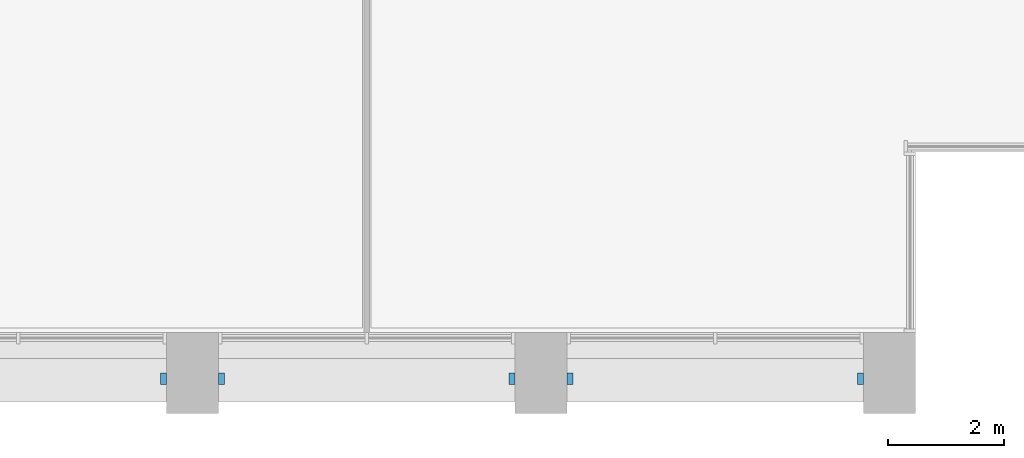
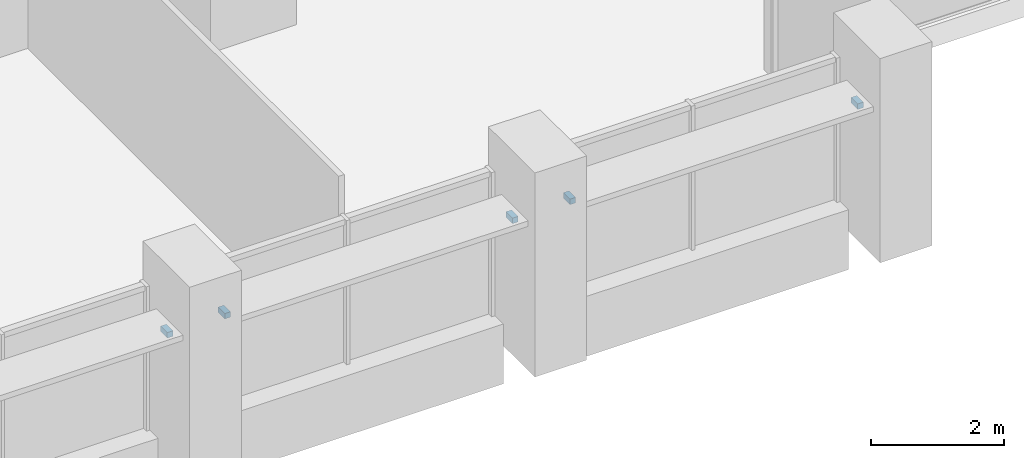
# One storey, part 16 of 18: 5 discrete accessories.
"""IFC4 building model written with IfcOpenShell, lengths in metres."""

import ifcopenshell
import ifcopenshell.guid

model = None  # the IFC model being written
_history = None  # IfcOwnerHistory: only IFC2X3 demands one
_inside = {}  # id of a spatial element -> (the spatial element, [elements in it])
_under = {}  # id of a project, library or spatial element -> (it, [spatial elements below it])
_declared = {}  # id of a project -> (the project, [libraries it declares])
_typed = {}  # id of a type object -> (the type object, [elements of that type])
_made_of = {}  # id of a material, layer set ... -> (it, [elements and type objects made of it])


def new_model(schema):
    """Start an empty IFC model of exactly this schema.

    Asked for "IFC4X3", IfcOpenShell would pick the latest addendum, in which some entities
    have other attributes; the version numbers below select the first issue.
    IFC2X3 requires an IfcOwnerHistory on every rooted entity: one is made here for all.
    """
    global model, _history
    if schema == "IFC4X3":
        model = ifcopenshell.file(schema_version=(4, 3, 0, 0))
    else:
        model = ifcopenshell.file(schema=schema)
    _inside.clear()
    _under.clear()
    _declared.clear()
    _typed.clear()
    _made_of.clear()
    _history = None
    if model.schema == "IFC2X3":
        org = make("IfcOrganization", Name="unknown")
        user = make(
            "IfcPersonAndOrganization",
            ThePerson=make("IfcPerson", FamilyName="unknown"),
            TheOrganization=org,
        )
        app = make(
            "IfcApplication",
            ApplicationDeveloper=org,
            Version="unknown",
            ApplicationFullName="unknown",
            ApplicationIdentifier="unknown",
        )
        _history = make(
            "IfcOwnerHistory",
            OwningUser=user,
            OwningApplication=app,
            ChangeAction="ADDED",
            CreationDate=0,
        )
    return model


def make(cls, **values):
    """One entity of the class cls with the attributes given. An attribute that is None is left unset."""
    return model.create_entity(
        cls, **{name: value for name, value in values.items() if value is not None}
    )


def rooted(cls, **values):
    """An entity with a GlobalId (a new one), such as an element, a storey or a relation."""
    return make(cls, GlobalId=ifcopenshell.guid.new(), OwnerHistory=_history, **values)


def si_unit(unit_type, name, prefix=None):
    """IfcSIUnit, for example si_unit("LENGTHUNIT", "METRE", prefix="MILLI")."""
    return make("IfcSIUnit", UnitType=unit_type, Prefix=prefix, Name=name)


def assignment(units):
    """IfcUnitAssignment: the units of a project."""
    return None if units is None else make("IfcUnitAssignment", Units=units)


def point(xyz):
    """IfcCartesianPoint."""
    return None if xyz is None else make("IfcCartesianPoint", Coordinates=xyz)


def direction(xyz):
    """IfcDirection."""
    return None if xyz is None else make("IfcDirection", DirectionRatios=xyz)


def frame(location, z_axis=None, x_axis=None):
    """IfcAxis2Placement3D, a coordinate frame: its origin and axes. An axis left out is left unset."""
    return make(
        "IfcAxis2Placement3D",
        Location=point(location),
        Axis=direction(z_axis),
        RefDirection=direction(x_axis),
    )


def frame_2d(location, x_axis=None):
    """IfcAxis2Placement2D, a coordinate frame in the plane: its origin and x axis."""
    return make(
        "IfcAxis2Placement2D", Location=point(location), RefDirection=direction(x_axis)
    )


def origin():
    """The frame at (0, 0, 0) with its axes left unset."""
    return frame((0.0, 0.0, 0.0))


def origin_2d():
    """The frame at (0, 0) in the plane with its x axis left unset."""
    return frame_2d((0.0, 0.0))


def place(relative_to, where):
    """IfcLocalPlacement: puts the frame where relative to a parent placement (None: the world)."""
    return make(
        "IfcLocalPlacement", PlacementRelTo=relative_to, RelativePlacement=where
    )


def context(
    kind, dimensions, precision=None, world=None, true_north=None, identifier=None
):
    """IfcGeometricRepresentationContext, for example the 3D "Model" context."""
    return make(
        "IfcGeometricRepresentationContext",
        ContextIdentifier=identifier,
        ContextType=kind,
        CoordinateSpaceDimension=dimensions,
        Precision=precision,
        WorldCoordinateSystem=world,
        TrueNorth=true_north,
    )


def subcontext(parent, identifier, kind, view, scale=None):
    """IfcGeometricRepresentationSubContext, for example "Body" below "Model"."""
    return make(
        "IfcGeometricRepresentationSubContext",
        ContextIdentifier=identifier,
        ContextType=kind,
        ParentContext=parent,
        TargetScale=scale,
        TargetView=view,
    )


def project(units=None, contexts=None):
    """IfcProject with its units and contexts."""
    return rooted(
        "IfcProject",
        Name="project",
        RepresentationContexts=contexts,
        UnitsInContext=assignment(units),
    )


def spatial(cls, under=None, at=None, **own):
    """A site, building, storey or space (cls), placed at a placement, below another one or the project."""
    s = rooted(cls, ObjectPlacement=at, **own)
    if under is not None:
        _under.setdefault(under.id(), (under, []))[1].append(s)
    return s


def profile(cls, at=None, kind="AREA", **sizes):
    """A parametric profile (cls). Its sizes go by their IFC names, for example OverallWidth=200.0."""
    return make(cls, ProfileType=kind, Position=at, **sizes)


def rectangle(**sizes):
    """IfcRectangleProfileDef."""
    return profile("IfcRectangleProfileDef", **sizes)


def extrude(swept, where, along, depth):
    """IfcExtrudedAreaSolid: the profile swept, set in the frame where, extruded along a direction by depth."""
    return make(
        "IfcExtrudedAreaSolid",
        SweptArea=swept,
        Position=where,
        ExtrudedDirection=direction(along),
        Depth=depth,
    )


def shape(context_of_items, identifier, shape_type, items):
    """IfcShapeRepresentation: the items that make up one representation, for example the "Body"."""
    return make(
        "IfcShapeRepresentation",
        ContextOfItems=context_of_items,
        RepresentationIdentifier=identifier,
        RepresentationType=shape_type,
        Items=items,
    )


def made_of(thing, what):
    """Note that an element or type object is made of a material, layer set ...; save() writes the relation."""
    if what is not None:
        _made_of.setdefault(what.id(), (what, []))[1].append(thing)
    return thing


def element(
    cls,
    number,
    at=None,
    inside=None,
    cuts=None,
    type_object=None,
    material=None,
    context=None,
    identifier="Body",
    shape_type=None,
    held_by="IfcProductDefinitionShape",
    body=None,
    shapes=None,
    **own,
):
    """One element of the class cls, such as IfcWall. Its Tag is "e" and its number.

    at: its placement. inside: the storey or other place that contains it. cuts: it is an
    opening in that element (IfcRelVoidsElement). A single representation is given by context,
    identifier, shape_type and body (its items); several are given by shapes. held_by: the class
    of the entity that holds the representations. save() writes the other relations.
    """
    e = rooted(cls, Tag="e%d" % number, ObjectPlacement=at, **own)
    if body is not None:
        shapes = [shape(context, identifier, shape_type, body)]
    if shapes is not None:
        e.Representation = make(held_by, Representations=shapes)
    if inside is not None:
        _inside.setdefault(inside.id(), (inside, []))[1].append(e)
    if cuts is not None:
        rooted(
            "IfcRelVoidsElement", RelatingBuildingElement=cuts, RelatedOpeningElement=e
        )
    if type_object is not None:
        _typed.setdefault(type_object.id(), (type_object, []))[1].append(e)
    return made_of(e, material)


def aggregate(whole, parts):
    """IfcRelAggregates: a whole, such as a stair, and the parts it consists of."""
    return rooted("IfcRelAggregates", RelatingObject=whole, RelatedObjects=parts)


def save(model, path):
    """Write the relations noted so far, then the file.

    IfcRelAggregates (storeys below a building ...), IfcRelContainedInSpatialStructure (elements
    in a storey), IfcRelDefinesByType, IfcRelAssociatesMaterial and IfcRelDeclares: one each for
    every whole, place, type object, material and project.
    """
    for whole, parts in _under.values():
        aggregate(whole, parts)
    for where, things in _inside.values():
        rooted(
            "IfcRelContainedInSpatialStructure",
            RelatedElements=things,
            RelatingStructure=where,
        )
    for kind, things in _typed.values():
        rooted("IfcRelDefinesByType", RelatedObjects=things, RelatingType=kind)
    for what, things in _made_of.values():
        rooted("IfcRelAssociatesMaterial", RelatedObjects=things, RelatingMaterial=what)
    for by, libraries in _declared.values():
        rooted("IfcRelDeclares", RelatingContext=by, RelatedDefinitions=libraries)
    model.write(path)


model = new_model("IFC4")

# Units and contexts
model_context = context("Model", 3, precision=1e-05, world=origin(), true_north=direction((0.0, 1.0)))
body_context = subcontext(model_context, "Body", "Model", "MODEL_VIEW")
ifc_project = project(units=[si_unit("LENGTHUNIT", "METRE"), si_unit("AREAUNIT", "SQUARE_METRE"), si_unit("VOLUMEUNIT", "CUBIC_METRE"), si_unit("PLANEANGLEUNIT", "RADIAN"), si_unit("MASSUNIT", "GRAM", prefix="KILO")], contexts=[model_context])

# Site, building, storey
site_placement = place(None, origin())
site = spatial("IfcSite", under=ifc_project, at=site_placement, CompositionType="ELEMENT")
building_placement = place(site_placement, origin())
building = spatial("IfcBuilding", under=site, at=building_placement, Name="Calvaro Tower", CompositionType="ELEMENT")
storey_placement = place(building_placement, frame((0.0, 0.0, 82.5)))
storey = spatial("IfcBuildingStorey", under=building, at=storey_placement, Name="L20", CompositionType="ELEMENT", Elevation=82.5)

# Discrete accessories
for number, where, z_axis, x_axis, name in (
    (1, (59.5, 0.60009765625, 2.14990234375), (0.0, 0.0, 1.0), (1.0, 0.0, 0.0), "Brise-soleil bracket"),
    (2, (60.5, 0.60009765625, 2.14990234375), (0.0, 0.0, 1.0), (1.0, 0.0, 0.0), "Brise-soleil bracket"),
    (3, (65.5, 0.60009765625, 2.14990234375), (0.0, 0.0, 1.0), (1.0, 0.0, 0.0), "Brise-soleil bracket"),
    (4, (66.5, 0.60009765625, 2.14990234375), (0.0, 0.0, 1.0), (1.0, 0.0, 0.0), "Brise-soleil bracket"),
    (5, (71.5, 0.60009765625, 2.14990234375), (0.0, 0.0, 1.0), (1.0, 0.0, 0.0), "Brise-soleil bracket"),
):
    element("IfcDiscreteAccessory", number, at=place(storey_placement, frame(where, z_axis=z_axis, x_axis=x_axis)), inside=storey, Name=name, PredefinedType="BRACKET", context=body_context, shape_type="SweptSolid", body=[
        extrude(rectangle(XDim=0.10009765625, YDim=0.199951171875, at=origin_2d()), origin(), (0.0, 0.0, 1.0), 0.10009765625),
    ])

save(model, "model.ifc")
